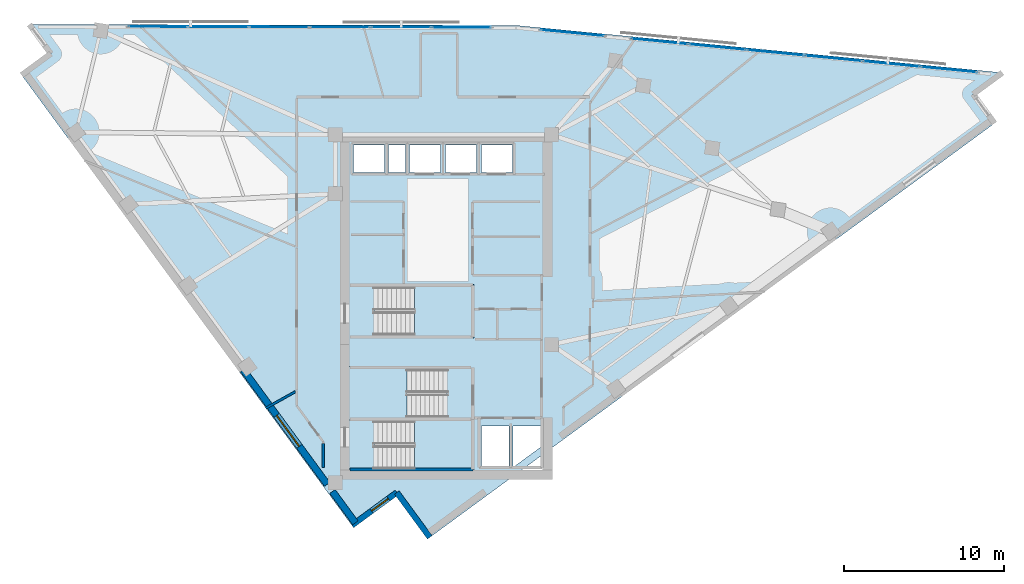
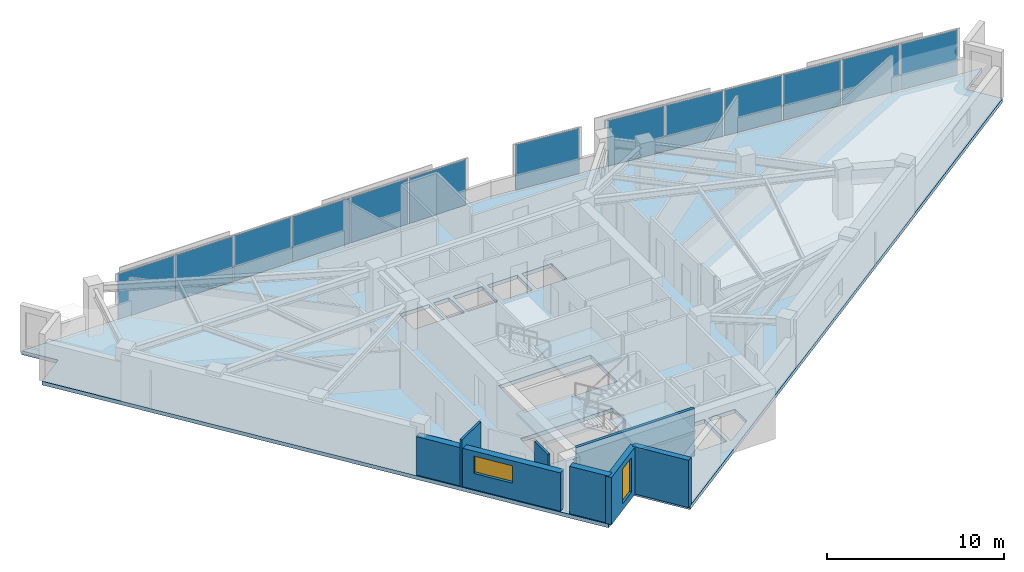
# One storey, part 7 of 13: 13 plates, 7 walls, 4 slabs, 2 windows, 2 openings, 6 elements without a shape of their own.
"""IFC4 building model written with IfcOpenShell, lengths in metres."""

from ifc_helpers import new_model, si_unit, direction, frame, frame_2d, origin, origin_2d, place, context, subcontext, project, spatial, polyline, rectangle, outline, extrude, material, layer, layer_set, type_object, element, fill, aggregate, save


model = new_model("IFC4")

# Units and contexts
model_context = context("Model", 3, precision=1e-05, world=origin(), true_north=direction((0.0, 1.0)))
body_context = subcontext(model_context, "Body", "Model", "MODEL_VIEW")
ifc_project = project(units=[si_unit("LENGTHUNIT", "METRE"), si_unit("AREAUNIT", "SQUARE_METRE"), si_unit("VOLUMEUNIT", "CUBIC_METRE"), si_unit("PLANEANGLEUNIT", "RADIAN"), si_unit("MASSUNIT", "GRAM", prefix="KILO")], contexts=[model_context])

# Site, building, storey
site_placement = place(None, origin())
site = spatial("IfcSite", under=ifc_project, at=site_placement, CompositionType="ELEMENT")
building_placement = place(site_placement, origin())
building = spatial("IfcBuilding", under=site, at=building_placement, Name="Narakoshi Arena Tower", CompositionType="ELEMENT")
storey_placement = place(building_placement, frame((0.0, 0.0, 246.659912109375)))
storey = spatial("IfcBuildingStorey", under=building, at=storey_placement, Name="L67", CompositionType="ELEMENT", Elevation=246.659912109375)

# Curtain wall, plates
ifc_material_1 = material(Name="Anodised bronze aluminium 6063-T6", Category="aluminium")
curtain_wall_type = type_object("IfcCurtainWallType", Name="CW-HYP-HIGH", PredefinedType="NOTDEFINED", material=ifc_material_1)
curtain_wall_1_placement = place(storey_placement, origin())
curtain_wall_1 = element("IfcCurtainWall", 1, at=curtain_wall_1_placement, inside=storey, type_object=curtain_wall_type, Name="L67 Folded Hypotenuse Curtain Wall 1-1", PredefinedType="NOTDEFINED")
ifc_material_2 = material(Name="Bronze-tinted low-E laminated glass", Category="glass")
ifc_layer_1 = layer(ifc_material_2, 0.0439453125)
ifc_layer_set_1 = layer_set([ifc_layer_1], Name="Bronze-tinted low-E laminated glass")
plate_type = type_object("IfcPlateType", Name="PLT-GLZ-44", PredefinedType="CURTAIN_PANEL", material=ifc_layer_set_1)
plate_1_placement = place(storey_placement, frame((110.45458984375, 60.593505859375, 0.065185546875), z_axis=(0.0, 0.0, 1.0), x_axis=(-0.995298860454, 0.096851320996, 0.0)))
plate_1 = element("IfcPlate", 2, at=plate_1_placement, type_object=plate_type, Name="CW-03 panel 1.1", PredefinedType="CURTAIN_PANEL", context=body_context, shape_type="SweptSolid", body=[
    extrude(rectangle(XDim=3.52880859375, YDim=0.0439453125, at=origin_2d()), origin(), (0.0, 0.0, 1.0), 3.1298828125),
])
plate_2_placement = place(storey_placement, frame((106.8427734375, 60.945068359375, 0.065185546875), z_axis=(0.0, 0.0, 1.0), x_axis=(-0.995298860454, 0.096851320996, 0.0)))
plate_2 = element("IfcPlate", 3, at=plate_2_placement, type_object=plate_type, Name="CW-03 panel 2.1", PredefinedType="CURTAIN_PANEL", context=body_context, shape_type="SweptSolid", body=[
    extrude(rectangle(XDim=3.568603515625, YDim=0.0439453125, at=origin_2d()), origin(), (0.0, 0.0, 1.0), 3.1298828125),
])
plate_3_placement = place(storey_placement, frame((103.211181640625, 61.29833984375, 0.065185546875), z_axis=(0.0, 0.0, 1.0), x_axis=(-0.995298860454, 0.096851320996, 0.0)))
plate_3 = element("IfcPlate", 4, at=plate_3_placement, type_object=plate_type, Name="CW-03 panel 3.1", PredefinedType="CURTAIN_PANEL", context=body_context, shape_type="SweptSolid", body=[
    extrude(rectangle(XDim=3.568603515625, YDim=0.0439453125, at=origin_2d()), origin(), (0.0, 0.0, 1.0), 3.1298828125),
])
plate_4_placement = place(storey_placement, frame((99.579833984375, 61.65185546875, 0.065185546875), z_axis=(0.0, 0.0, 1.0), x_axis=(-0.995298860454, 0.096851320996, 0.0)))
plate_4 = element("IfcPlate", 5, at=plate_4_placement, type_object=plate_type, Name="CW-03 panel 4.1", PredefinedType="CURTAIN_PANEL", context=body_context, shape_type="SweptSolid", body=[
    extrude(rectangle(XDim=3.568603515625, YDim=0.0439453125, at=origin_2d()), origin(), (0.0, 0.0, 1.0), 3.1298828125),
])
plate_5_placement = place(storey_placement, frame((95.9482421875, 62.005126953125, 0.065185546875), z_axis=(0.0, 0.0, 1.0), x_axis=(-0.995298860454, 0.096851320996, 0.0)))
plate_5 = element("IfcPlate", 6, at=plate_5_placement, type_object=plate_type, Name="CW-03 panel 5.1", PredefinedType="CURTAIN_PANEL", context=body_context, shape_type="SweptSolid", body=[
    extrude(rectangle(XDim=3.568603515625, YDim=0.0439453125, at=origin_2d()), origin(), (0.0, 0.0, 1.0), 3.1298828125),
])
plate_6_placement = place(storey_placement, frame((92.33642578125, 62.356689453125, 0.065185546875), z_axis=(0.0, 0.0, 1.0), x_axis=(-0.995298860454, 0.096851320996, 0.0)))
plate_6 = element("IfcPlate", 7, at=plate_6_placement, type_object=plate_type, Name="CW-03 panel 6.1", PredefinedType="CURTAIN_PANEL", context=body_context, shape_type="SweptSolid", body=[
    extrude(rectangle(XDim=3.52880859375, YDim=0.0439453125, at=origin_2d()), origin(), (0.0, 0.0, 1.0), 3.1298828125),
])
aggregate(curtain_wall_1, [plate_1, plate_2, plate_3, plate_4, plate_5, plate_6])

# Curtain wall, plate
curtain_wall_2_placement = place(storey_placement, origin())
curtain_wall_2 = element("IfcCurtainWall", 8, at=curtain_wall_2_placement, inside=storey, type_object=curtain_wall_type, Name="L67 Folded Hypotenuse Curtain Wall 1-2", PredefinedType="NOTDEFINED")
plate_7_placement = place(storey_placement, frame((86.862060546875, 62.889404296875, 0.065185546875), z_axis=(0.0, 0.0, 1.0), x_axis=(-0.995299683896, 0.096842858471, 0.0)))
plate_7 = element("IfcPlate", 9, at=plate_7_placement, type_object=plate_type, Name="CW-03 panel 1.1", PredefinedType="CURTAIN_PANEL", context=body_context, shape_type="SweptSolid", body=[
    extrude(rectangle(XDim=3.9560546875, YDim=0.0439453125, at=origin_2d()), origin(), (0.0, 0.0, 1.0), 3.1298828125),
])
aggregate(curtain_wall_2, [plate_7])

# Curtain wall, plates
curtain_wall_3_placement = place(storey_placement, origin())
curtain_wall_3 = element("IfcCurtainWall", 10, at=curtain_wall_3_placement, inside=storey, type_object=curtain_wall_type, Name="L67 Folded Hypotenuse Curtain Wall 2-1", PredefinedType="NOTDEFINED")
plate_8_placement = place(storey_placement, frame((79.907470703125, 63.239501953125, 0.065185546875), z_axis=(0.0, 0.0, 1.0), x_axis=(-0.999998343986, 0.001819896899, 0.0)))
plate_8 = element("IfcPlate", 11, at=plate_8_placement, type_object=plate_type, Name="CW-03 panel 1.1", PredefinedType="CURTAIN_PANEL", context=body_context, shape_type="SweptSolid", body=[
    extrude(rectangle(XDim=3.689697265625, YDim=0.0439453125, at=origin_2d()), origin(), (0.0, 0.0, 1.0), 3.1298828125),
])
plate_9_placement = place(storey_placement, frame((76.11767578125, 63.246337890625, 0.065185546875), z_axis=(0.0, 0.0, 1.0), x_axis=(-0.999998343986, 0.001819896899, 0.0)))
plate_9 = element("IfcPlate", 12, at=plate_9_placement, type_object=plate_type, Name="CW-03 panel 2.1", PredefinedType="CURTAIN_PANEL", context=body_context, shape_type="SweptSolid", body=[
    extrude(rectangle(XDim=3.729736328125, YDim=0.0439453125, at=origin_2d()), origin(), (0.0, 0.0, 1.0), 3.1298828125),
])
plate_10_placement = place(storey_placement, frame((72.307861328125, 63.25341796875, 0.065185546875), z_axis=(0.0, 0.0, 1.0), x_axis=(-0.999998343986, 0.001819896899, 0.0)))
plate_10 = element("IfcPlate", 13, at=plate_10_placement, type_object=plate_type, Name="CW-03 panel 3.1", PredefinedType="CURTAIN_PANEL", context=body_context, shape_type="SweptSolid", body=[
    extrude(rectangle(XDim=3.729736328125, YDim=0.0439453125, at=origin_2d()), origin(), (0.0, 0.0, 1.0), 3.1298828125),
])
plate_11_placement = place(storey_placement, frame((68.498291015625, 63.26025390625, 0.065185546875), z_axis=(0.0, 0.0, 1.0), x_axis=(-0.999998343986, 0.001819896899, 0.0)))
plate_11 = element("IfcPlate", 14, at=plate_11_placement, type_object=plate_type, Name="CW-03 panel 4.1", PredefinedType="CURTAIN_PANEL", context=body_context, shape_type="SweptSolid", body=[
    extrude(rectangle(XDim=3.729736328125, YDim=0.0439453125, at=origin_2d()), origin(), (0.0, 0.0, 1.0), 3.1298828125),
])
plate_12_placement = place(storey_placement, frame((64.6884765625, 63.26708984375, 0.065185546875), z_axis=(0.0, 0.0, 1.0), x_axis=(-0.999998343986, 0.001819896899, 0.0)))
plate_12 = element("IfcPlate", 15, at=plate_12_placement, type_object=plate_type, Name="CW-03 panel 5.1", PredefinedType="CURTAIN_PANEL", context=body_context, shape_type="SweptSolid", body=[
    extrude(rectangle(XDim=3.729736328125, YDim=0.0439453125, at=origin_2d()), origin(), (0.0, 0.0, 1.0), 3.1298828125),
])
plate_13_placement = place(storey_placement, frame((60.898681640625, 63.274169921875, 0.065185546875), z_axis=(0.0, 0.0, 1.0), x_axis=(-0.999998343986, 0.001819896899, 0.0)))
plate_13 = element("IfcPlate", 16, at=plate_13_placement, type_object=plate_type, Name="CW-03 panel 6.1", PredefinedType="CURTAIN_PANEL", context=body_context, shape_type="SweptSolid", body=[
    extrude(rectangle(XDim=3.689697265625, YDim=0.0439453125, at=origin_2d()), origin(), (0.0, 0.0, 1.0), 3.1298828125),
])
aggregate(curtain_wall_3, [plate_8, plate_9, plate_10, plate_11, plate_12, plate_13])

# Stair, slab
ifc_material_3 = material(Name="Concrete C45/55", Category="concrete")
stair_type = type_object("IfcStairType", Name="STR-CORE-352", PredefinedType="TWO_STRAIGHT_RUN_STAIR", material=ifc_material_3)
stair_1_placement = place(storey_placement, origin())
stair_1 = element("IfcStair", 17, at=stair_1_placement, inside=storey, type_object=stair_type, Name="L67 Core Escape Stair ST1", PredefinedType="TWO_STRAIGHT_RUN_STAIR")
ifc_layer_2 = layer(ifc_material_3, 0.18994140625)
ifc_layer_set_2 = layer_set([ifc_layer_2], Name="Concrete C45/55")
slab_type_1 = type_object("IfcSlabType", Name="SLB-LND-190", PredefinedType="LANDING", material=ifc_layer_set_2)
slab_1_placement = place(storey_placement, frame((0.0, 0.0, 1.570068359375)))
slab_1 = element("IfcSlab", 18, at=slab_1_placement, type_object=slab_type_1, Name="ST1 landing 1", PredefinedType="LANDING", context=body_context, shape_type="SweptSolid", body=[
    extrude(outline(polyline([(76.965087890625, 35.3701171875), (80.679931640625, 35.3701171875), (80.679931640625, 38.72998046875), (76.965087890625, 38.72998046875), (76.965087890625, 35.3701171875)])), origin(), (0.0, 0.0, 1.0), 0.18994140625),
])
aggregate(stair_1, [slab_1])

stair_2_placement = place(storey_placement, origin())
stair_2 = element("IfcStair", 19, at=stair_2_placement, inside=storey, type_object=stair_type, Name="L67 Core Escape Stair ST2", PredefinedType="TWO_STRAIGHT_RUN_STAIR")
slab_2_placement = place(storey_placement, frame((0.0, 0.0, 1.570068359375)))
slab_2 = element("IfcSlab", 20, at=slab_2_placement, type_object=slab_type_1, Name="ST2 landing 1", PredefinedType="LANDING", context=body_context, shape_type="SweptSolid", body=[
    extrude(outline(polyline([(72.77001953125, 38.6201171875), (76.485107421875, 38.6201171875), (76.485107421875, 41.97998046875), (72.77001953125, 41.97998046875), (72.77001953125, 38.6201171875)])), origin(), (0.0, 0.0, 1.0), 0.18994140625),
])
aggregate(stair_2, [slab_2])

stair_3_placement = place(storey_placement, origin())
stair_3 = element("IfcStair", 21, at=stair_3_placement, inside=storey, type_object=stair_type, Name="L67 Core Escape Stair ST3", PredefinedType="TWO_STRAIGHT_RUN_STAIR")
slab_3_placement = place(storey_placement, frame((0.0, 0.0, 1.570068359375)))
slab_3 = element("IfcSlab", 22, at=slab_3_placement, type_object=slab_type_1, Name="ST3 landing 1", PredefinedType="LANDING", context=body_context, shape_type="SweptSolid", body=[
    extrude(outline(polyline([(76.965087890625, 43.77001953125), (80.679931640625, 43.77001953125), (80.679931640625, 47.1298828125), (76.965087890625, 47.1298828125), (76.965087890625, 43.77001953125)])), origin(), (0.0, 0.0, 1.0), 0.18994140625),
])
aggregate(stair_3, [slab_3])

# Slab
ifc_material_4 = material(Name="Concrete C50/60", Category="concrete")
ifc_layer_3 = layer(ifc_material_4, 0.260009765625)
ifc_layer_set_3 = layer_set([ifc_layer_3], Name="Concrete C50/60")
slab_type_2 = type_object("IfcSlabType", Name="SLB-SKY-260", PredefinedType="FLOOR", material=ifc_layer_set_3)
slab_4_placement = place(storey_placement, frame((0.0, 0.0, -0.260009765625)))
element("IfcSlab", 23, at=slab_4_placement, inside=storey, type_object=slab_type_2, Name="L67 Structural Floor Slab", PredefinedType="FLOOR", context=body_context, shape_type="SweptSolid", body=[
    extrude(outline(polyline([(77.922607421875, 31.273193359375), (113.306640625, 57.218017578125), (111.96533203125, 59.047607421875), (113.794921875, 60.38916015625), (83.33251953125, 63.353271484375), (52.84521484375, 63.40869140625), (54.1865234375, 61.5791015625), (52.357177734375, 60.23779296875), (73.044189453125, 32.024169921875), (75.858642578125, 34.087890625), (77.922607421875, 31.273193359375)]), holes=[polyline([(80.5, 35.550048828125), (74.47998046875, 35.550048828125), (74.47998046875, 38.550048828125), (80.5, 38.550048828125), (80.5, 35.550048828125)]), polyline([(82.89990234375, 35.75), (81.14990234375, 35.75), (81.14990234375, 38.25), (82.89990234375, 38.25), (82.89990234375, 35.75)]), polyline([(84.89990234375, 36.947509765625), (83.266845703125, 35.75), (83.14990234375, 35.75), (83.14990234375, 38.25), (84.89990234375, 38.25), (84.89990234375, 36.947509765625)]), polyline([(72.949951171875, 38.800048828125), (72.949951171875, 41.800048828125), (78.969970703125, 41.800048828125), (78.969970703125, 38.800048828125), (72.949951171875, 38.800048828125)]), polyline([(74.47998046875, 43.949951171875), (74.47998046875, 46.949951171875), (80.5, 46.949951171875), (80.5, 43.949951171875), (74.47998046875, 43.949951171875)]), polyline([(75.10009765625, 54.14990234375), (73.14990234375, 54.14990234375), (73.14990234375, 55.85009765625), (75.10009765625, 55.85009765625), (75.10009765625, 54.14990234375)]), polyline([(76.39990234375, 54.14990234375), (75.35009765625, 54.14990234375), (75.35009765625, 55.85009765625), (76.39990234375, 55.85009765625), (76.39990234375, 54.14990234375)]), polyline([(78.60009765625, 54.14990234375), (76.64990234375, 54.14990234375), (76.64990234375, 55.85009765625), (78.60009765625, 55.85009765625), (78.60009765625, 54.14990234375)]), polyline([(78.89990234375, 54.14990234375), (78.89990234375, 55.85009765625), (80.85009765625, 55.85009765625), (80.85009765625, 54.14990234375), (78.89990234375, 54.14990234375)]), polyline([(81.14990234375, 54.14990234375), (81.14990234375, 55.85009765625), (83.10009765625, 55.85009765625), (83.10009765625, 54.14990234375), (81.14990234375, 54.14990234375)])]), origin(), (0.0, 0.0, 1.0), 0.260009765625),
])

# Wall, opening, window
ifc_material_5 = material(Name="Precast concrete C45/55", Category="concrete")
ifc_layer_4 = layer(ifc_material_5, 0.419921875)
ifc_layer_set_4 = layer_set([ifc_layer_4], Name="Precast concrete C45/55")
wall_type_1 = type_object("IfcWallType", Name="WL-POD-420", PredefinedType="SOLIDWALL", material=ifc_layer_set_4)
wall_1_placement = place(storey_placement, frame((66.232421875, 41.779296875, 0.0), z_axis=(0.0, 0.0, 1.0), x_axis=(0.591309008949, -0.806445073105, 0.0)))
wall_1 = element("IfcWall", 24, at=wall_1_placement, inside=storey, type_object=wall_type_1, Name="L67 Architectural Concrete Facade Wall LEGB-3", PredefinedType="SOLIDWALL", context=body_context, shape_type="SweptSolid", body=[
    extrude(rectangle(XDim=8.908447265625, YDim=0.419921875, at=frame_2d((4.4541015625, 0.0))), origin(), (0.0, 0.0, 1.0), 2.64501953125),
])
opening_1_placement = place(wall_1_placement, frame((3.549072265625, 0.0, 1.10009765625)))
opening_1 = element("IfcOpeningElement", 25, at=opening_1_placement, cuts=wall_1, Name="Opening WN-04", PredefinedType="OPENING", context=body_context, shape_type="SweptSolid", body=[
    extrude(rectangle(XDim=2.39990234375, YDim=1.199951171875, at=frame_2d((1.199951171875, 0.60009765625))), frame((0.0, 0.219970703125, 0.0), z_axis=(0.0, -1.0, 0.0), x_axis=(1.0, 0.0, 0.0)), (0.0, 0.0, 1.0), 0.43994140625),
])
window_type_1 = type_object("IfcWindowType", Name="WIN-SLT-24x12", PartitioningType="SINGLE_PANEL", PredefinedType="WINDOW", material=ifc_material_2)
window_1_placement = place(opening_1_placement, origin())
window_1 = element("IfcWindow", 26, at=window_1_placement, inside=storey, type_object=window_type_1, Name="L67 LEGB3 Horizontal Slot Window 1", OverallHeight=1.199951171875, OverallWidth=2.39990234375, PartitioningType="SINGLE_PANEL", PredefinedType="WINDOW", context=body_context, shape_type="SweptSolid", body=[
    extrude(rectangle(XDim=2.39990234375, YDim=1.199951171875, at=frame_2d((1.199951171875, 0.60009765625))), frame((0.0, 0.030029296875, 0.0), z_axis=(0.0, -1.0, 0.0), x_axis=(1.0, 0.0, 0.0)), (0.0, 0.0, 1.0), 0.06005859375),
])
fill(opening_1, window_1)

# Wall
wall_2_placement = place(storey_placement, frame((71.826416015625, 34.14990234375, 0.0), z_axis=(0.0, 0.0, 1.0), x_axis=(0.591315835946, -0.806440067308, 0.0)))
element("IfcWall", 27, at=wall_2_placement, inside=storey, type_object=wall_type_1, Name="L67 Architectural Concrete Facade Wall LEGB-4", PredefinedType="SOLIDWALL", context=body_context, shape_type="SweptSolid", body=[
    extrude(rectangle(XDim=2.434326171875, YDim=0.419921875, at=frame_2d((1.21728515625, 0.0))), origin(), (0.0, 0.0, 1.0), 3.260009765625),
])

# Wall, opening, window
wall_3_placement = place(storey_placement, frame((73.044189453125, 32.024169921875, 0.0), z_axis=(0.0, 0.0, 1.0), x_axis=(0.806433906667, 0.591324237774, 0.0)))
wall_3 = element("IfcWall", 28, at=wall_3_placement, inside=storey, type_object=wall_type_1, Name="L67 Re-Entrant Corner Notch Wall NTA-1", PredefinedType="SOLIDWALL", context=body_context, shape_type="SweptSolid", body=[
    extrude(rectangle(XDim=3.489990234375, YDim=0.360107421875, at=frame_2d((1.7451171875, 0.0))), origin(), (0.0, 0.0, 1.0), 3.260009765625),
])
opening_2_placement = place(wall_3_placement, frame((1.535400390625, 0.0, 0.449951171875)))
opening_2 = element("IfcOpeningElement", 29, at=opening_2_placement, cuts=wall_3, Name="Opening WN-06", PredefinedType="OPENING", context=body_context, shape_type="SweptSolid", body=[
    extrude(rectangle(XDim=1.300048828125, YDim=2.39990234375, at=frame_2d((0.64990234375, 1.199951171875))), frame((0.0, 0.18994140625, 0.0), z_axis=(0.0, -1.0, 0.0), x_axis=(1.0, 0.0, 0.0)), (0.0, 0.0, 1.0), 0.380126953125),
])
window_type_2 = type_object("IfcWindowType", Name="WIN-NTC-16x24", PartitioningType="SINGLE_PANEL", PredefinedType="WINDOW", material=ifc_material_2)
window_2_placement = place(opening_2_placement, origin())
window_2 = element("IfcWindow", 30, at=window_2_placement, inside=storey, type_object=window_type_2, Name="L67 Corner Notch Window NTA", OverallHeight=2.39990234375, OverallWidth=1.300048828125, PartitioningType="SINGLE_PANEL", PredefinedType="WINDOW", context=body_context, shape_type="SweptSolid", body=[
    extrude(rectangle(XDim=1.300048828125, YDim=2.39990234375, at=frame_2d((0.64990234375, 1.199951171875))), frame((0.0, 0.030029296875, 0.0), z_axis=(0.0, -1.0, 0.0), x_axis=(1.0, 0.0, 0.0)), (0.0, 0.0, 1.0), 0.06005859375),
])
fill(opening_2, window_2)

# Walls
wall_4_placement = place(storey_placement, frame((75.858642578125, 34.087890625, 0.0), z_axis=(0.0, 0.0, 1.0), x_axis=(0.591336371625, -0.806425009281, 0.0)))
element("IfcWall", 31, at=wall_4_placement, inside=storey, type_object=wall_type_1, Name="L67 Re-Entrant Corner Notch Wall NTA-2", PredefinedType="SOLIDWALL", context=body_context, shape_type="SweptSolid", body=[
    extrude(rectangle(XDim=3.490234375, YDim=0.360107421875, at=frame_2d((1.7451171875, 0.0))), origin(), (0.0, 0.0, 1.0), 3.260009765625),
])
ifc_layer_5 = layer(ifc_material_4, 0.35009765625)
ifc_layer_set_5 = layer_set([ifc_layer_5], Name="Concrete C50/60")
wall_type_2 = type_object("IfcWallType", Name="WL-SHAFT-350", PredefinedType="SOLIDWALL", material=ifc_layer_set_5)
wall_5_placement = place(storey_placement, frame((72.919921875, 35.52001953125, -0.260009765625), z_axis=(0.0, 0.0, 1.0), x_axis=(1.0, 0.0, 0.0)))
element("IfcWall", 32, at=wall_5_placement, inside=storey, type_object=wall_type_2, Name="L67 Core Wall ST1-S", PredefinedType="SOLIDWALL", context=body_context, shape_type="SweptSolid", body=[
    extrude(rectangle(XDim=7.7001953125, YDim=0.199951171875, at=frame_2d((3.85009765625, 0.0))), origin(), (0.0, 0.0, 1.0), 3.52001953125),
])
ifc_material_6 = material(Name="Moisture-resistant cement-board partition")
ifc_layer_6 = layer(ifc_material_6, 0.14501953125)
ifc_layer_set_6 = layer_set([ifc_layer_6], Name="Moisture-resistant cement-board partition")
wall_type_3 = type_object("IfcWallType", Name="WL-WET-145", PredefinedType="PARTITIONING", material=ifc_layer_set_6)
wall_6_placement = place(storey_placement, frame((67.656005859375, 39.37255859375, 0.0), z_axis=(0.0, 0.0, 1.0), x_axis=(0.872894231042, 0.487909480758, 0.0)))
element("IfcWall", 33, at=wall_6_placement, inside=storey, type_object=wall_type_3, Name="L67 Inter-Room Partition 01-09", PredefinedType="PARTITIONING", context=body_context, shape_type="SweptSolid", body=[
    extrude(rectangle(XDim=2.111083984375, YDim=0.14501953125, at=frame_2d((1.0556640625, 0.0))), origin(), (0.0, 0.0, 1.0), 3.260009765625),
])
wall_7_placement = place(storey_placement, frame((71.25, 37.159912109375, 0.0), z_axis=(0.0, 0.0, 1.0), x_axis=(0.0, -1.0, 0.0)))
element("IfcWall", 34, at=wall_7_placement, inside=storey, type_object=wall_type_3, Name="L67 Room Enclosure Partition 01-1", PredefinedType="PARTITIONING", context=body_context, shape_type="SweptSolid", body=[
    extrude(rectangle(XDim=1.49658203125, YDim=0.14501953125, at=frame_2d((0.748291015625, 0.0))), origin(), (0.0, 0.0, 1.0), 3.260009765625),
])

save(model, "model.ifc")
